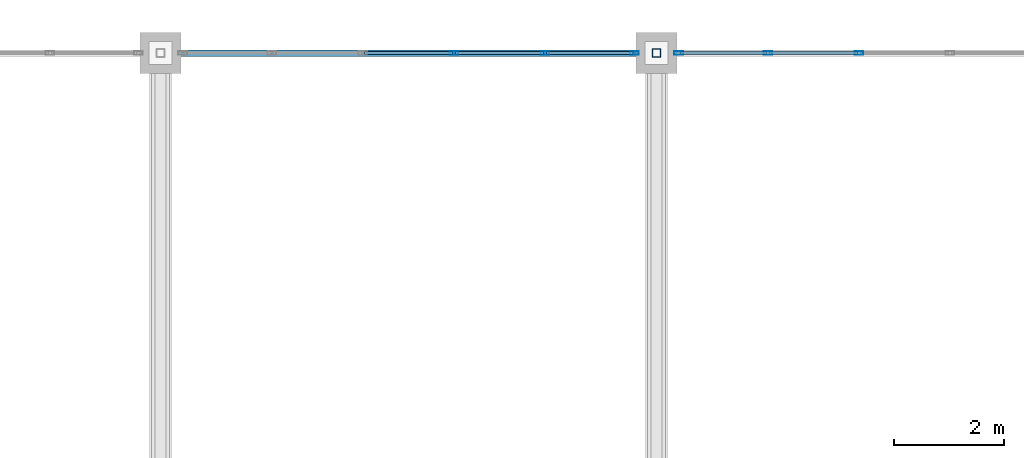
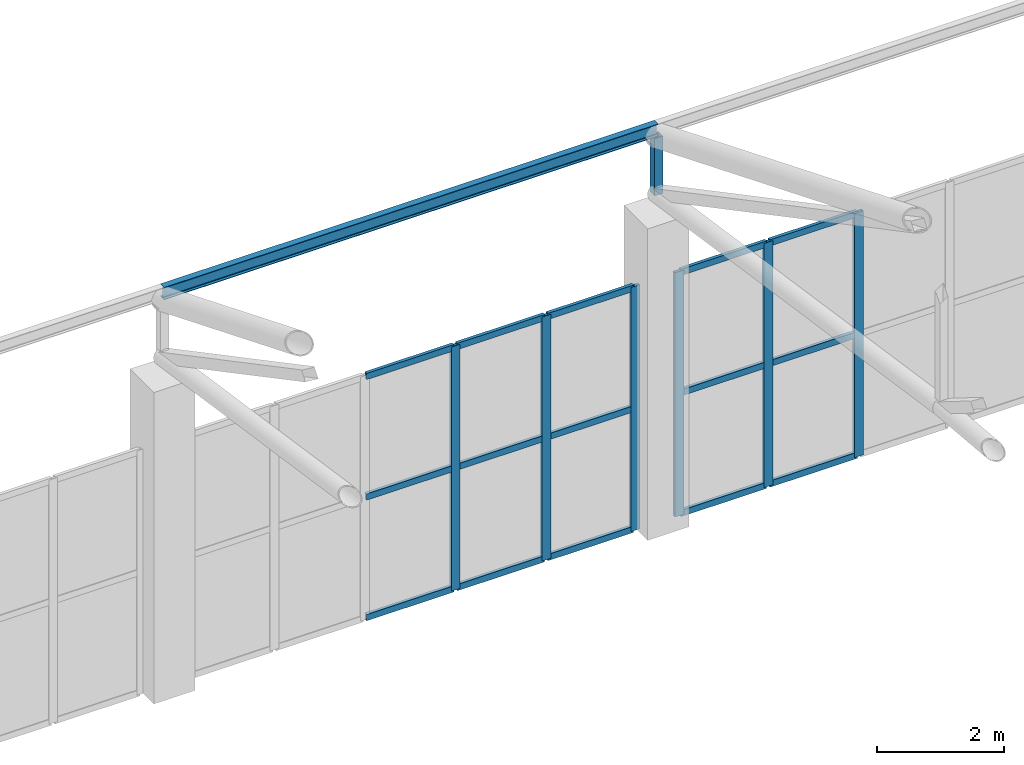
# One storey, part 131 of 223: 23 members, 2 elements without a shape of their own.
"""IFC4 building model written with IfcOpenShell, lengths in metres."""

from ifc_helpers import new_model, si_unit, direction, frame, origin, origin_2d, place, context, subcontext, project, spatial, hollow_rectangle, i_section, extrude, material, layer, layer_set, material_profile, profile_set, type_object, element, aggregate, save


model = new_model("IFC4")

# Units and contexts
model_context = context("Model", 3, precision=1e-05, world=origin(), true_north=direction((0.0, 1.0)))
body_context = subcontext(model_context, "Body", "Model", "MODEL_VIEW")
ifc_project = project(units=[si_unit("LENGTHUNIT", "METRE"), si_unit("AREAUNIT", "SQUARE_METRE"), si_unit("VOLUMEUNIT", "CUBIC_METRE"), si_unit("PLANEANGLEUNIT", "RADIAN"), si_unit("MASSUNIT", "GRAM", prefix="KILO")], contexts=[model_context])

# Site, building, storey
site_placement = place(None, origin())
site = spatial("IfcSite", under=ifc_project, at=site_placement, CompositionType="ELEMENT")
building_placement = place(site_placement, origin())
building = spatial("IfcBuilding", under=site, at=building_placement, Name="Dornveld Trade and Exhibition Forum", CompositionType="ELEMENT")
storey_placement = place(building_placement, frame((0.0, 0.0, 6.0)))
storey = spatial("IfcBuildingStorey", under=building, at=storey_placement, Name="L01", CompositionType="ELEMENT", Elevation=6.0)

# Curtain wall, members
ifc_material_1 = material(Name="Dark-bronze anodised aluminium and low-E glass", Category="aluminium")
ifc_layer_1 = layer(ifc_material_1, 0.180908203125)
ifc_layer_set_1 = layer_set([ifc_layer_1], Name="Dark-bronze anodised aluminium and low-E glass")
curtain_wall_type_1 = type_object("IfcCurtainWallType", Name="CW-SYS-13", PredefinedType="USERDEFINED", material=ifc_layer_set_1)
curtain_wall_1_placement = place(storey_placement, origin())
curtain_wall_1 = element("IfcCurtainWall", 1, at=curtain_wall_1_placement, inside=storey, type_object=curtain_wall_type_1, Name="L01 unitised curtain wall 139", ObjectType="UNITISED_CURTAIN_WALL", PredefinedType="USERDEFINED")
ifc_material_2 = material(Name="Dark-bronze anodised aluminium", Category="aluminium")
ifc_material_profile_1 = material_profile(ifc_material_2, hollow_rectangle(XDim=0.06005859375, YDim=0.159912109375, WallThickness=0.00390625, at=origin_2d()), Name="RHS 160x60x4")
ifc_profile_set_1 = profile_set([ifc_material_profile_1], Name="Dark-bronze anodised aluminium")
member_type_1 = type_object("IfcMemberType", Name="CW-MUL-160", PredefinedType="MULLION", material=ifc_profile_set_1)
member_1_placement = place(storey_placement, frame((116.59912109375, 162.0, -0.00390625), z_axis=(0.0, 0.0, 1.0), x_axis=(0.0, -1.0, 0.0)))
member_1 = element("IfcMember", 2, at=member_1_placement, type_object=member_type_1, Name="CW-13 mullion 1", PredefinedType="MULLION", context=body_context, shape_type="SweptSolid", body=[
    extrude(hollow_rectangle(XDim=0.06005859375, YDim=0.159912109375, WallThickness=0.00390625, at=origin_2d()), origin(), (0.0, 0.0, 1.0), 4.703857421875),
])
member_2_placement = place(storey_placement, frame((114.977294921875, 162.0, -0.00390625), z_axis=(0.0, 0.0, 1.0), x_axis=(0.0, -1.0, 0.0)))
member_2 = element("IfcMember", 3, at=member_2_placement, type_object=member_type_1, Name="CW-13 mullion 2", PredefinedType="MULLION", context=body_context, shape_type="SweptSolid", body=[
    extrude(hollow_rectangle(XDim=0.06005859375, YDim=0.159912109375, WallThickness=0.00390625, at=origin_2d()), origin(), (0.0, 0.0, 1.0), 4.703857421875),
])
member_3_placement = place(storey_placement, frame((113.32568359375, 162.0, -0.00390625), z_axis=(0.0, 0.0, 1.0), x_axis=(0.0, -1.0, 0.0)))
member_3 = element("IfcMember", 4, at=member_3_placement, type_object=member_type_1, Name="CW-13 mullion 3", PredefinedType="MULLION", context=body_context, shape_type="SweptSolid", body=[
    extrude(hollow_rectangle(XDim=0.06005859375, YDim=0.159912109375, WallThickness=0.00390625, at=origin_2d()), origin(), (0.0, 0.0, 1.0), 4.703857421875),
])

ifc_material_3 = material(Name="Dark-bronze anodised aluminium and low-E glass", Category="aluminium")
ifc_layer_2 = layer(ifc_material_3, 0.18408203125)
ifc_layer_set_2 = layer_set([ifc_layer_2], Name="Dark-bronze anodised aluminium and low-E glass")
curtain_wall_type_2 = type_object("IfcCurtainWallType", Name="CW-SYS-14", PredefinedType="USERDEFINED", material=ifc_layer_set_2)
curtain_wall_2_placement = place(storey_placement, origin())
curtain_wall_2 = element("IfcCurtainWall", 5, at=curtain_wall_2_placement, inside=storey, type_object=curtain_wall_type_2, Name="L01 unitised curtain wall 140", ObjectType="UNITISED_CURTAIN_WALL", PredefinedType="USERDEFINED")
member_4_placement = place(storey_placement, frame((120.67431640625, 162.0, -0.00390625), z_axis=(0.0, 0.0, 1.0), x_axis=(0.0, -1.0, 0.0)))
member_4 = element("IfcMember", 6, at=member_4_placement, type_object=member_type_1, Name="CW-14 mullion 4", PredefinedType="MULLION", context=body_context, shape_type="SweptSolid", body=[
    extrude(hollow_rectangle(XDim=0.06005859375, YDim=0.159912109375, WallThickness=0.00390625, at=origin_2d()), origin(), (0.0, 0.0, 1.0), 4.703857421875),
])
member_5_placement = place(storey_placement, frame((119.022705078125, 162.0, -0.00390625), z_axis=(0.0, 0.0, 1.0), x_axis=(0.0, -1.0, 0.0)))
member_5 = element("IfcMember", 7, at=member_5_placement, type_object=member_type_1, Name="CW-14 mullion 5", PredefinedType="MULLION", context=body_context, shape_type="SweptSolid", body=[
    extrude(hollow_rectangle(XDim=0.06005859375, YDim=0.159912109375, WallThickness=0.00390625, at=origin_2d()), origin(), (0.0, 0.0, 1.0), 4.703857421875),
])
member_6_placement = place(storey_placement, frame((117.40087890625, 162.0, -0.00390625), z_axis=(0.0, 0.0, 1.0), x_axis=(0.0, -1.0, 0.0)))
member_6 = element("IfcMember", 8, at=member_6_placement, type_object=member_type_1, Name="CW-14 mullion 6", PredefinedType="MULLION", context=body_context, shape_type="SweptSolid", body=[
    extrude(hollow_rectangle(XDim=0.06005859375, YDim=0.159912109375, WallThickness=0.00390625, at=origin_2d()), origin(), (0.0, 0.0, 1.0), 4.703857421875),
])

# Member
ifc_material_4 = material(Name="Dark-bronze anodised aluminium", Category="aluminium")
ifc_material_profile_2 = material_profile(ifc_material_4, hollow_rectangle(XDim=0.06005859375, YDim=0.1201171875, WallThickness=0.00390625, at=origin_2d()), Name="RHS 120x60x4")
ifc_profile_set_2 = profile_set([ifc_material_profile_2], Name="Dark-bronze anodised aluminium")
member_type_2 = type_object("IfcMemberType", Name="CW-TRN-120", PredefinedType="USERDEFINED", material=ifc_profile_set_2)
member_7_placement = place(storey_placement, frame((116.569091796875, 162.0, 0.02587890625), z_axis=(-1.0, 0.0, 0.0), x_axis=(0.0, -1.0, 0.0)))
member_7 = element("IfcMember", 9, at=member_7_placement, type_object=member_type_2, Name="CW-13 transom 1.1", ObjectType="TRANSOM", PredefinedType="USERDEFINED", context=body_context, shape_type="SweptSolid", body=[
    extrude(hollow_rectangle(XDim=0.06005859375, YDim=0.1201171875, WallThickness=0.00390625, at=origin_2d()), origin(), (0.0, 0.0, 1.0), 1.561767578125),
])

member_8_placement = place(storey_placement, frame((116.569091796875, 162.0, 2.347900390625), z_axis=(-1.0, 0.0, 0.0), x_axis=(0.0, -1.0, 0.0)))
member_8 = element("IfcMember", 10, at=member_8_placement, type_object=member_type_2, Name="CW-13 transom 1.2", ObjectType="TRANSOM", PredefinedType="USERDEFINED", context=body_context, shape_type="SweptSolid", body=[
    extrude(hollow_rectangle(XDim=0.06005859375, YDim=0.1201171875, WallThickness=0.00390625, at=origin_2d()), origin(), (0.0, 0.0, 1.0), 1.561767578125),
])

member_9_placement = place(storey_placement, frame((116.569091796875, 162.0, 4.669921875), z_axis=(-1.0, 0.0, 0.0), x_axis=(0.0, -1.0, 0.0)))
member_9 = element("IfcMember", 11, at=member_9_placement, type_object=member_type_2, Name="CW-13 transom 1.3", ObjectType="TRANSOM", PredefinedType="USERDEFINED", context=body_context, shape_type="SweptSolid", body=[
    extrude(hollow_rectangle(XDim=0.06005859375, YDim=0.1201171875, WallThickness=0.00390625, at=origin_2d()), origin(), (0.0, 0.0, 1.0), 1.561767578125),
])

member_10_placement = place(storey_placement, frame((114.947509765625, 162.0, 0.02587890625), z_axis=(-1.0, 0.0, 0.0), x_axis=(0.0, -1.0, 0.0)))
member_10 = element("IfcMember", 12, at=member_10_placement, type_object=member_type_2, Name="CW-13 transom 2.1", ObjectType="TRANSOM", PredefinedType="USERDEFINED", context=body_context, shape_type="SweptSolid", body=[
    extrude(hollow_rectangle(XDim=0.06005859375, YDim=0.1201171875, WallThickness=0.00390625, at=origin_2d()), origin(), (0.0, 0.0, 1.0), 1.591796875),
])

member_11_placement = place(storey_placement, frame((114.947509765625, 162.0, 2.347900390625), z_axis=(-1.0, 0.0, 0.0), x_axis=(0.0, -1.0, 0.0)))
member_11 = element("IfcMember", 13, at=member_11_placement, type_object=member_type_2, Name="CW-13 transom 2.2", ObjectType="TRANSOM", PredefinedType="USERDEFINED", context=body_context, shape_type="SweptSolid", body=[
    extrude(hollow_rectangle(XDim=0.06005859375, YDim=0.1201171875, WallThickness=0.00390625, at=origin_2d()), origin(), (0.0, 0.0, 1.0), 1.591796875),
])

member_12_placement = place(storey_placement, frame((114.947509765625, 162.0, 4.669921875), z_axis=(-1.0, 0.0, 0.0), x_axis=(0.0, -1.0, 0.0)))
member_12 = element("IfcMember", 14, at=member_12_placement, type_object=member_type_2, Name="CW-13 transom 2.3", ObjectType="TRANSOM", PredefinedType="USERDEFINED", context=body_context, shape_type="SweptSolid", body=[
    extrude(hollow_rectangle(XDim=0.06005859375, YDim=0.1201171875, WallThickness=0.00390625, at=origin_2d()), origin(), (0.0, 0.0, 1.0), 1.591796875),
])

member_13_placement = place(storey_placement, frame((113.2958984375, 162.0, 0.02587890625), z_axis=(-1.0, 0.0, 0.0), x_axis=(0.0, -1.0, 0.0)))
member_13 = element("IfcMember", 15, at=member_13_placement, type_object=member_type_2, Name="CW-13 transom 3.1", ObjectType="TRANSOM", PredefinedType="USERDEFINED", context=body_context, shape_type="SweptSolid", body=[
    extrude(hollow_rectangle(XDim=0.06005859375, YDim=0.1201171875, WallThickness=0.00390625, at=origin_2d()), origin(), (0.0, 0.0, 1.0), 1.591796875),
])

member_14_placement = place(storey_placement, frame((113.2958984375, 162.0, 2.347900390625), z_axis=(-1.0, 0.0, 0.0), x_axis=(0.0, -1.0, 0.0)))
member_14 = element("IfcMember", 16, at=member_14_placement, type_object=member_type_2, Name="CW-13 transom 3.2", ObjectType="TRANSOM", PredefinedType="USERDEFINED", context=body_context, shape_type="SweptSolid", body=[
    extrude(hollow_rectangle(XDim=0.06005859375, YDim=0.1201171875, WallThickness=0.00390625, at=origin_2d()), origin(), (0.0, 0.0, 1.0), 1.591796875),
])

member_15_placement = place(storey_placement, frame((113.2958984375, 162.0, 4.669921875), z_axis=(-1.0, 0.0, 0.0), x_axis=(0.0, -1.0, 0.0)))
member_15 = element("IfcMember", 17, at=member_15_placement, type_object=member_type_2, Name="CW-13 transom 3.3", ObjectType="TRANSOM", PredefinedType="USERDEFINED", context=body_context, shape_type="SweptSolid", body=[
    extrude(hollow_rectangle(XDim=0.06005859375, YDim=0.1201171875, WallThickness=0.00390625, at=origin_2d()), origin(), (0.0, 0.0, 1.0), 1.591796875),
])

aggregate(curtain_wall_1, [member_1, member_2, member_3, member_7, member_8, member_9, member_10, member_11, member_12, member_13, member_14, member_15])

member_16_placement = place(storey_placement, frame((120.644287109375, 162.0, 0.02587890625), z_axis=(-1.0, 0.0, 0.0), x_axis=(0.0, -1.0, 0.0)))
member_16 = element("IfcMember", 18, at=member_16_placement, type_object=member_type_2, Name="CW-14 transom 4.1", ObjectType="TRANSOM", PredefinedType="USERDEFINED", context=body_context, shape_type="SweptSolid", body=[
    extrude(hollow_rectangle(XDim=0.06005859375, YDim=0.1201171875, WallThickness=0.00390625, at=origin_2d()), origin(), (0.0, 0.0, 1.0), 1.591796875),
])

member_17_placement = place(storey_placement, frame((120.644287109375, 162.0, 2.347900390625), z_axis=(-1.0, 0.0, 0.0), x_axis=(0.0, -1.0, 0.0)))
member_17 = element("IfcMember", 19, at=member_17_placement, type_object=member_type_2, Name="CW-14 transom 4.2", ObjectType="TRANSOM", PredefinedType="USERDEFINED", context=body_context, shape_type="SweptSolid", body=[
    extrude(hollow_rectangle(XDim=0.06005859375, YDim=0.1201171875, WallThickness=0.00390625, at=origin_2d()), origin(), (0.0, 0.0, 1.0), 1.591796875),
])

member_18_placement = place(storey_placement, frame((120.644287109375, 162.0, 4.669921875), z_axis=(-1.0, 0.0, 0.0), x_axis=(0.0, -1.0, 0.0)))
member_18 = element("IfcMember", 20, at=member_18_placement, type_object=member_type_2, Name="CW-14 transom 4.3", ObjectType="TRANSOM", PredefinedType="USERDEFINED", context=body_context, shape_type="SweptSolid", body=[
    extrude(hollow_rectangle(XDim=0.06005859375, YDim=0.1201171875, WallThickness=0.00390625, at=origin_2d()), origin(), (0.0, 0.0, 1.0), 1.591796875),
])

member_19_placement = place(storey_placement, frame((118.99267578125, 162.0, 0.02587890625), z_axis=(-1.0, 0.0, 0.0), x_axis=(0.0, -1.0, 0.0)))
member_19 = element("IfcMember", 21, at=member_19_placement, type_object=member_type_2, Name="CW-14 transom 5.1", ObjectType="TRANSOM", PredefinedType="USERDEFINED", context=body_context, shape_type="SweptSolid", body=[
    extrude(hollow_rectangle(XDim=0.06005859375, YDim=0.1201171875, WallThickness=0.00390625, at=origin_2d()), origin(), (0.0, 0.0, 1.0), 1.561767578125),
])

member_20_placement = place(storey_placement, frame((118.99267578125, 162.0, 2.347900390625), z_axis=(-1.0, 0.0, 0.0), x_axis=(0.0, -1.0, 0.0)))
member_20 = element("IfcMember", 22, at=member_20_placement, type_object=member_type_2, Name="CW-14 transom 5.2", ObjectType="TRANSOM", PredefinedType="USERDEFINED", context=body_context, shape_type="SweptSolid", body=[
    extrude(hollow_rectangle(XDim=0.06005859375, YDim=0.1201171875, WallThickness=0.00390625, at=origin_2d()), origin(), (0.0, 0.0, 1.0), 1.561767578125),
])

member_21_placement = place(storey_placement, frame((118.99267578125, 162.0, 4.669921875), z_axis=(-1.0, 0.0, 0.0), x_axis=(0.0, -1.0, 0.0)))
member_21 = element("IfcMember", 23, at=member_21_placement, type_object=member_type_2, Name="CW-14 transom 5.3", ObjectType="TRANSOM", PredefinedType="USERDEFINED", context=body_context, shape_type="SweptSolid", body=[
    extrude(hollow_rectangle(XDim=0.06005859375, YDim=0.1201171875, WallThickness=0.00390625, at=origin_2d()), origin(), (0.0, 0.0, 1.0), 1.561767578125),
])

aggregate(curtain_wall_2, [member_4, member_5, member_6, member_16, member_17, member_18, member_19, member_20, member_21])

# Members
ifc_material_5 = material(Name="Steel S355J2", Category="steel")
ifc_material_profile_3 = material_profile(ifc_material_5, hollow_rectangle(XDim=0.14990234375, YDim=0.14990234375, WallThickness=0.008056640625, at=origin_2d()), Name="SHS 150x150x8")
ifc_profile_set_3 = profile_set([ifc_material_profile_3], Name="Steel S355J2")
member_type_3 = type_object("IfcMemberType", Name="MEM-ARCH-STR", PredefinedType="STRUT", material=ifc_profile_set_3)
member_22_placement = place(storey_placement, frame((117.0, 162.0, 6.35009765625), z_axis=(0.0, 0.0, 1.0), x_axis=(1.0, 0.0, 0.0)))
element("IfcMember", 24, at=member_22_placement, inside=storey, type_object=member_type_3, Name="H1 truss 3 end strut", PredefinedType="STRUT", context=body_context, shape_type="SweptSolid", body=[
    extrude(hollow_rectangle(XDim=0.14990234375, YDim=0.14990234375, WallThickness=0.008056640625, at=origin_2d()), origin(), (0.0, 0.0, 1.0), 1.099853515625),
])
ifc_material_6 = material(Name="Steel S355J2", Category="steel")
ifc_material_profile_4 = material_profile(ifc_material_6, i_section(OverallWidth=0.1201171875, OverallDepth=0.239990234375, WebThickness=0.006103515625, FlangeThickness=0.009765625, FilletRadius=0.014892578125, at=origin_2d()), Name="IPE 240")
ifc_profile_set_4 = profile_set([ifc_material_profile_4], Name="Steel S355J2")
member_type_4 = type_object("IfcMemberType", Name="MEM-PURLIN-240", PredefinedType="PURLIN", material=ifc_profile_set_4)
member_23_placement = place(storey_placement, frame((108.0, 162.0, 7.58203125), z_axis=(1.0, 0.0, 0.0), x_axis=(0.0, 1.0, 0.0)))
element("IfcMember", 25, at=member_23_placement, inside=storey, type_object=member_type_4, Name="H1 bay 2 roof purlin 7", PredefinedType="PURLIN", context=body_context, shape_type="SweptSolid", body=[
    extrude(i_section(OverallWidth=0.1201171875, OverallDepth=0.239990234375, WebThickness=0.006103515625, FlangeThickness=0.009765625, FilletRadius=0.014892578125, at=origin_2d()), origin(), (0.0, 0.0, 1.0), 9.0),
])

save(model, "model.ifc")
